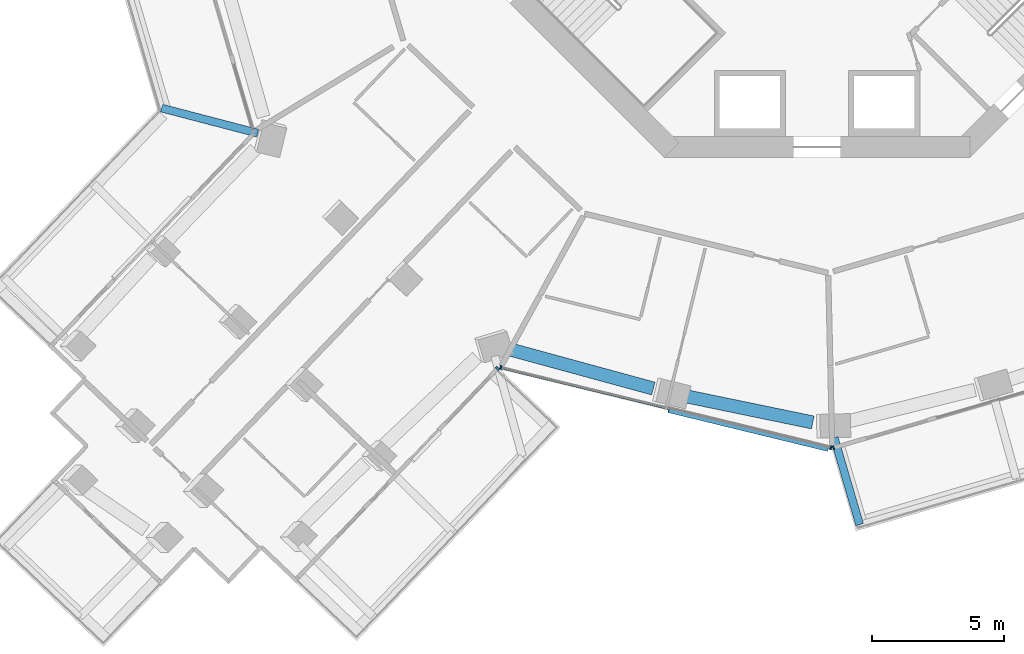
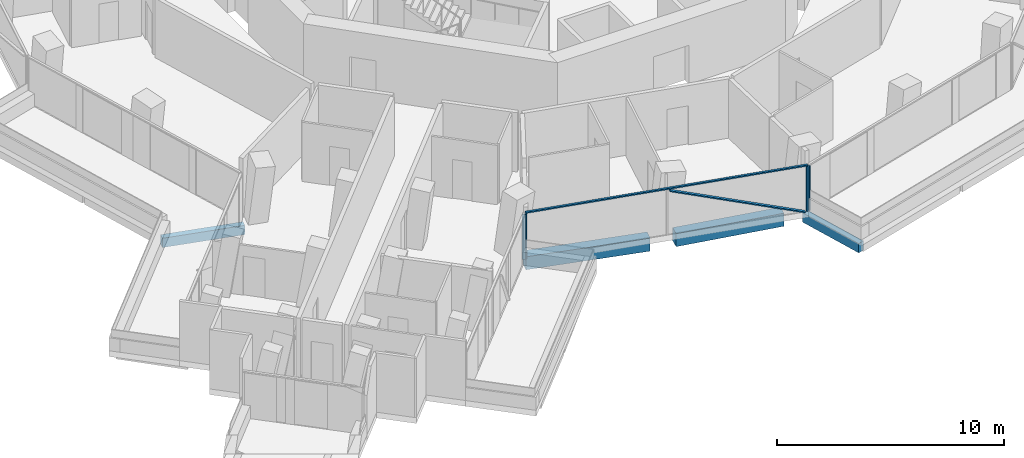
# One storey, part 3 of 25: 6 members, 4 beams, 3 elements without a shape of their own.
"""IFC4 building model written with IfcOpenShell, lengths in metres."""

from ifc_helpers import new_model, si_unit, direction, frame, origin, origin_2d, place, context, subcontext, project, spatial, rectangle, extrude, material, layer, layer_set, material_profile, profile_set, type_object, element, aggregate, save


model = new_model("IFC4")

# Units and contexts
model_context = context("Model", 3, precision=1e-05, world=origin(), true_north=direction((0.0, 1.0)))
body_context = subcontext(model_context, "Body", "Model", "MODEL_VIEW")
ifc_project = project(units=[si_unit("LENGTHUNIT", "METRE"), si_unit("AREAUNIT", "SQUARE_METRE"), si_unit("VOLUMEUNIT", "CUBIC_METRE"), si_unit("PLANEANGLEUNIT", "RADIAN"), si_unit("MASSUNIT", "GRAM", prefix="KILO")], contexts=[model_context])

# Site, building, storey
site_placement = place(None, origin())
site = spatial("IfcSite", under=ifc_project, at=site_placement, CompositionType="ELEMENT")
building_placement = place(site_placement, origin())
building = spatial("IfcBuilding", under=site, at=building_placement, Name="Verdalira Terraces Hotel", CompositionType="ELEMENT")
storey_placement = place(building_placement, frame((0.0, 0.0, 100.0)))
storey = spatial("IfcBuildingStorey", under=building, at=storey_placement, Name="L23", CompositionType="ELEMENT", Elevation=100.0)

# Beams
ifc_material_1 = material(Name="Concrete C40", Category="concrete")
ifc_material_profile_1 = material_profile(ifc_material_1, rectangle(XDim=0.300049, YDim=0.5, at=origin_2d()), Name="RC 300X500")
ifc_profile_set_1 = profile_set([ifc_material_profile_1], Name="Concrete C40")
beam_type_1 = type_object("IfcBeamType", Name="Balcony cantilever beam RC 300X500 C40", PredefinedType="BEAM", material=ifc_profile_set_1)
beam_1_placement = place(storey_placement, frame((-21.236084, -13.07373, -0.560059), z_axis=(-0.967540196, 0.252717173, 0.0), x_axis=(-0.252717173, -0.967540196, 0.0)))
element("IfcBeam", 1, at=beam_1_placement, inside=storey, type_object=beam_type_1, Name="Balcony cantilever beam R13-5", PredefinedType="BEAM", context=body_context, shape_type="SweptSolid", body=[
    extrude(rectangle(XDim=0.300049, YDim=0.5, at=origin_2d()), origin(), (0.0, 0.0, 1.0), 3.769531),
])
beam_2_placement = place(storey_placement, frame((0.652832, -24.635986, -0.560059), z_axis=(0.281029817, -0.959699037, 0.0), x_axis=(0.959699037, 0.281029817, 0.0)))
element("IfcBeam", 2, at=beam_2_placement, inside=storey, type_object=beam_type_1, Name="Balcony cantilever beam R26-1", PredefinedType="BEAM", context=body_context, shape_type="SweptSolid", body=[
    extrude(rectangle(XDim=0.300049, YDim=0.5, at=origin_2d()), origin(), (0.0, 0.0, 1.0), 3.431396),
])

# Curtain wall, members
ifc_material_2 = material(Name="Clear glass", Category="glass")
ifc_layer_1 = layer(ifc_material_2, 0.14990234375)
ifc_layer_set_1 = layer_set([ifc_layer_1], Name="CW1 curtain wall")
curtain_wall_type_1 = type_object("IfcCurtainWallType", Name="CW1 curtain wall", PredefinedType="NOTDEFINED", material=ifc_layer_set_1)
curtain_wall_1_placement = place(storey_placement, origin())
curtain_wall_1 = element("IfcCurtainWall", 3, at=curtain_wall_1_placement, inside=storey, type_object=curtain_wall_type_1, Name="CW1 curtain wall L23 edge 25", PredefinedType="NOTDEFINED")
ifc_material_3 = material(Name="Terracotta frame", Category="masonry")
ifc_material_profile_2 = material_profile(ifc_material_3, rectangle(XDim=0.060059, YDim=0.149902, at=origin_2d()), Name="MU 60x150")
ifc_profile_set_2 = profile_set([ifc_material_profile_2], Name="Terracotta frame")
member_type_1 = type_object("IfcMemberType", Name="CW1 mullion 60x150", PredefinedType="MULLION", material=ifc_profile_set_2)
member_1_placement = place(storey_placement, frame((-12.005859, -21.967041, 0.0), z_axis=(0.0, 0.0, 1.0), x_axis=(0.971631733, -0.236498997, 0.0)))
member_1 = element("IfcMember", 4, at=member_1_placement, type_object=member_type_1, Name="CW1 mullion", PredefinedType="MULLION", context=body_context, shape_type="SweptSolid", body=[
    extrude(rectangle(XDim=0.060059, YDim=0.149902, at=origin_2d()), origin(), (0.0, 0.0, 1.0), 2.425049),
])
member_2_placement = place(storey_placement, frame((0.528076, -25.017822, 0.0), z_axis=(0.0, 0.0, 1.0), x_axis=(0.971631733, -0.236498997, 0.0)))
member_2 = element("IfcMember", 5, at=member_2_placement, type_object=member_type_1, Name="CW1 mullion", PredefinedType="MULLION", context=body_context, shape_type="SweptSolid", body=[
    extrude(rectangle(XDim=0.060059, YDim=0.149902, at=origin_2d()), origin(), (0.0, 0.0, 1.0), 2.425049),
])

# Curtain wall, member
curtain_wall_2_placement = place(storey_placement, origin())
curtain_wall_2 = element("IfcCurtainWall", 6, at=curtain_wall_2_placement, inside=storey, type_object=curtain_wall_type_1, Name="CW1 curtain wall L23 edge 26", PredefinedType="NOTDEFINED")
member_3_placement = place(storey_placement, frame((0.624756, -25.015625, 0.0), z_axis=(0.0, 0.0, 1.0), x_axis=(0.959707262, 0.281001727, 0.0)))
member_3 = element("IfcMember", 7, at=member_3_placement, type_object=member_type_1, Name="CW1 mullion", PredefinedType="MULLION", context=body_context, shape_type="SweptSolid", body=[
    extrude(rectangle(XDim=0.060059, YDim=0.149902, at=origin_2d()), origin(), (0.0, 0.0, 1.0), 2.425049),
])
aggregate(curtain_wall_2, [member_3])

# Member
ifc_material_4 = material(Name="Terracotta frame", Category="masonry")
ifc_material_profile_3 = material_profile(ifc_material_4, rectangle(XDim=0.110107, YDim=0.064941, at=origin_2d()), Name="TR 65x110")
ifc_profile_set_3 = profile_set([ifc_material_profile_3], Name="Terracotta frame")
member_type_2 = type_object("IfcMemberType", Name="CW1 transom 65x110", PredefinedType="USERDEFINED", material=ifc_profile_set_3)
member_4_placement = place(storey_placement, frame((-12.034912, -21.959961, 2.45752), z_axis=(0.9716276, -0.236515976, 0.0), x_axis=(0.236515976, 0.9716276, 0.0)))
member_4 = element("IfcMember", 8, at=member_4_placement, type_object=member_type_2, Name="CW1 transom", ObjectType="TRANSOM", PredefinedType="USERDEFINED", context=body_context, shape_type="SweptSolid", body=[
    extrude(rectangle(XDim=0.110107, YDim=0.064941, at=origin_2d()), origin(), (0.0, 0.0, 1.0), 12.959717),
])

# Curtain wall, member
ifc_material_5 = material(Name="Clear glass", Category="glass")
ifc_layer_2 = layer(ifc_material_5, 0.14990234375)
ifc_layer_set_2 = layer_set([ifc_layer_2], Name="CW2 curtain wall")
curtain_wall_type_2 = type_object("IfcCurtainWallType", Name="CW2 curtain wall", PredefinedType="NOTDEFINED", material=ifc_layer_set_2)
curtain_wall_3_placement = place(storey_placement, origin())
curtain_wall_3 = element("IfcCurtainWall", 9, at=curtain_wall_3_placement, inside=storey, type_object=curtain_wall_type_2, Name="CW2 curtain wall L23 edge 24", PredefinedType="NOTDEFINED")
ifc_material_6 = material(Name="Terracotta frame", Category="masonry")
ifc_material_profile_4 = material_profile(ifc_material_6, rectangle(XDim=0.070068, YDim=0.149902, at=origin_2d()), Name="MU 70x150")
ifc_profile_set_4 = profile_set([ifc_material_profile_4], Name="Terracotta frame")
member_type_3 = type_object("IfcMemberType", Name="CW2 mullion 70x150", PredefinedType="MULLION", material=ifc_profile_set_4)
member_5_placement = place(storey_placement, frame((-12.131104, -22.006348, 0.0), z_axis=(0.0, 0.0, 1.0), x_axis=(0.690630006, 0.723208265, 0.0)))
member_5 = element("IfcMember", 10, at=member_5_placement, type_object=member_type_3, Name="CW2 mullion", PredefinedType="MULLION", context=body_context, shape_type="SweptSolid", body=[
    extrude(rectangle(XDim=0.070068, YDim=0.149902, at=origin_2d()), origin(), (0.0, 0.0, 1.0), 2.425049),
])
aggregate(curtain_wall_3, [member_5])

# Member
ifc_material_7 = material(Name="Terracotta frame", Category="masonry")
ifc_material_profile_5 = material_profile(ifc_material_7, rectangle(XDim=0.149902, YDim=0.060059, at=origin_2d()), Name="GB 60x150")
ifc_profile_set_5 = profile_set([ifc_material_profile_5], Name="Terracotta frame")
member_type_4 = type_object("IfcMemberType", Name="Diagonal glazing bar 60x150", PredefinedType="USERDEFINED", material=ifc_profile_set_5)
member_6_placement = place(storey_placement, frame((-5.637939, -23.608643, 2.39624), z_axis=(0.908061006, -0.221016546, -0.355776468), x_axis=(0.236489819, 0.971633967, 0.0)))
member_6 = element("IfcMember", 11, at=member_6_placement, type_object=member_type_4, Name="Diagonal glazing bar", ObjectType="GLAZING BAR", PredefinedType="USERDEFINED", context=body_context, shape_type="SweptSolid", body=[
    extrude(rectangle(XDim=0.149902, YDim=0.060059, at=origin_2d()), origin(), (0.0, 0.0, 1.0), 6.654297),
])

aggregate(curtain_wall_1, [member_1, member_2, member_4, member_6])

# Beams
ifc_material_8 = material(Name="Concrete C70", Category="concrete")
ifc_material_profile_6 = material_profile(ifc_material_8, rectangle(XDim=0.5, YDim=0.699951, at=origin_2d()), Name="RC 500X700")
ifc_profile_set_6 = profile_set([ifc_material_profile_6], Name="Concrete C70")
beam_type_2 = type_object("IfcBeamType", Name="Spandrel beam RC 500X700 C70", PredefinedType="SPANDREL", material=ifc_profile_set_6)
beam_3_placement = place(storey_placement, frame((-11.686768, -21.275391, -0.659912), z_axis=(0.964756867, -0.263142902, 0.0), x_axis=(0.263142902, 0.964756867, 0.0)))
element("IfcBeam", 12, at=beam_3_placement, inside=storey, type_object=beam_type_2, Name="Spandrel beam B15", PredefinedType="SPANDREL", context=body_context, shape_type="SweptSolid", body=[
    extrude(rectangle(XDim=0.5, YDim=0.699951, at=origin_2d()), origin(), (0.0, 0.0, 1.0), 5.671631),
])
beam_4_placement = place(storey_placement, frame((-5.070312, -23.04126, -0.659912), z_axis=(0.979345976, -0.202191642, 0.0), x_axis=(0.202191642, 0.979345976, 0.0)))
element("IfcBeam", 13, at=beam_4_placement, inside=storey, type_object=beam_type_2, Name="Spandrel beam B16", PredefinedType="SPANDREL", context=body_context, shape_type="SweptSolid", body=[
    extrude(rectangle(XDim=0.5, YDim=0.699951, at=origin_2d()), origin(), (0.0, 0.0, 1.0), 5.012207),
])

save(model, "model.ifc")
